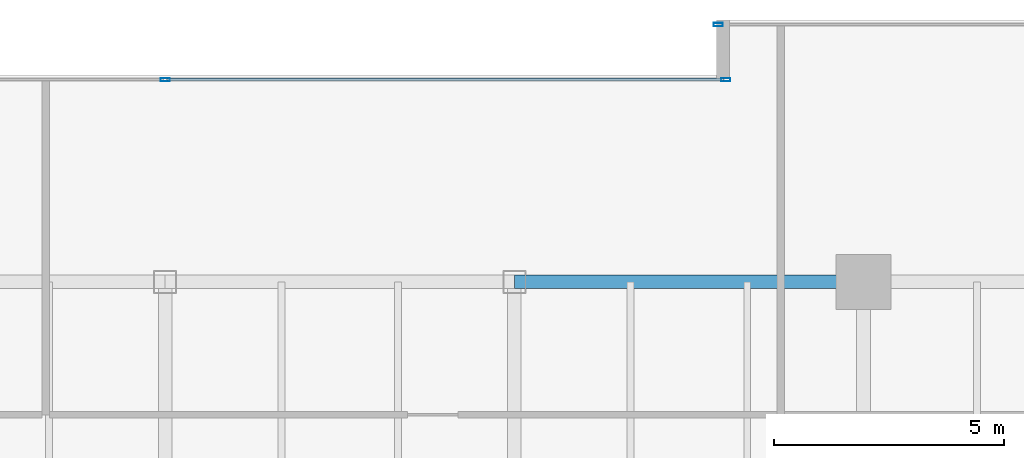
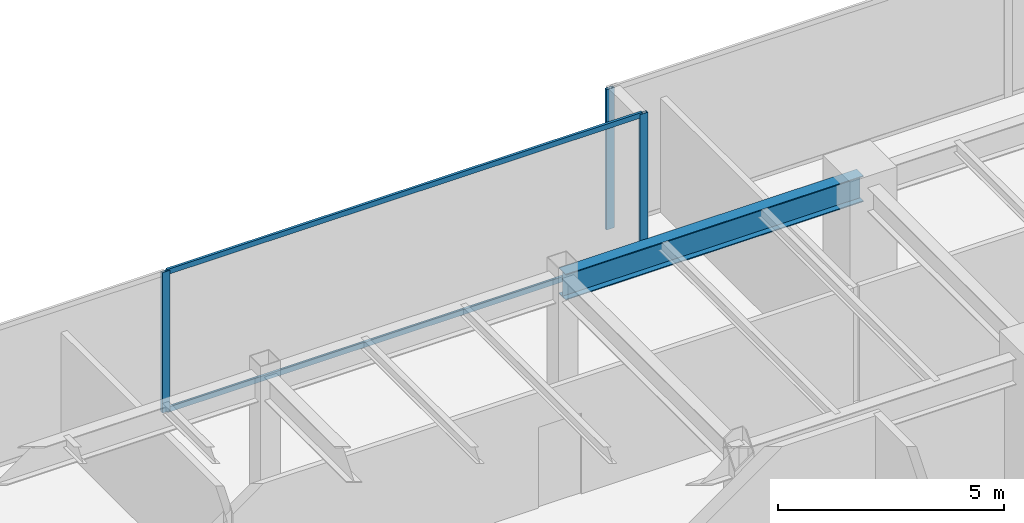
# One storey, part 18 of 30: 5 members, 1 beam, 2 elements without a shape of their own.
"""IFC4 building model written with IfcOpenShell, lengths in metres."""

from ifc_helpers import new_model, si_unit, direction, frame, origin, origin_2d, place, context, subcontext, project, spatial, hollow_rectangle, i_section, extrude, source, transform, mapped, material, layer, layer_set, material_profile, profile_set, type_object, type_shapes, element, aggregate, save


model = new_model("IFC4")

# Units and contexts
model_context = context("Model", 3, precision=1e-05, world=origin(), true_north=direction((0.0, 1.0)))
body_context = subcontext(model_context, "Body", "Model", "MODEL_VIEW")
ifc_project = project(units=[si_unit("LENGTHUNIT", "METRE"), si_unit("AREAUNIT", "SQUARE_METRE"), si_unit("VOLUMEUNIT", "CUBIC_METRE"), si_unit("PLANEANGLEUNIT", "RADIAN"), si_unit("MASSUNIT", "GRAM", prefix="KILO")], contexts=[model_context])

# Site, building, storey
site_placement = place(None, origin())
site = spatial("IfcSite", under=ifc_project, at=site_placement, CompositionType="ELEMENT")
building_placement = place(site_placement, origin())
building = spatial("IfcBuilding", under=site, at=building_placement, Name="Haelvirn Gate Laboratories", CompositionType="ELEMENT")
storey_placement = place(building_placement, frame((0.0, 0.0, 121.5)))
storey = spatial("IfcBuildingStorey", under=building, at=storey_placement, Name="L29", CompositionType="ELEMENT", Elevation=121.5)

# Beam
ifc_material_1 = material(Name="Steel SM355", Category="steel")
ifc_material_profile_1 = material_profile(ifc_material_1, i_section(OverallWidth=0.300048828125, OverallDepth=0.699951171875, WebThickness=0.012939453125, FlangeThickness=0.02392578125, at=origin_2d()), Name="H-700x300x13x24")
ifc_profile_set_1 = profile_set([ifc_material_profile_1], Name="Steel SM355")
beam_type = type_object("IfcBeamType", Name="BM-G-700", PredefinedType="BEAM", material=ifc_profile_set_1)
shared_shape_1 = source(origin(), body_context, "Body", "SweptSolid", [
    extrude(i_section(OverallWidth=0.300048828125, OverallDepth=0.699951171875, WebThickness=0.012939453125, FlangeThickness=0.02392578125, at=origin_2d()), origin(), (0.0, 0.0, 1.0), 7.60009765625),
])
type_shapes(beam_type, [shared_shape_1])
beam_placement = place(storey_placement, frame((45.0, 41.60009765625, 3.43994140625), z_axis=(1.0, 0.0, 0.0), x_axis=(0.0, 1.0, 0.0)))
element("IfcBeam", 1, at=beam_placement, inside=storey, type_object=beam_type, Name="L29 Primary Girder Y41.6 (45.0-52.6)", PredefinedType="BEAM", context=body_context, shape_type="MappedRepresentation", body=[
    mapped(shared_shape_1, transform((0.0, 0.0, 0.0), scale=1.0)),
])

# Curtain wall, members
ifc_material_2 = material(Name="Anodised bronze unitised aluminium & triple low-E glass", Category="aluminium")
ifc_layer = layer(ifc_material_2, 0.179931640625, Name="CW-SYS-3")
ifc_layer_set = layer_set([ifc_layer], Name="Anodised bronze unitised aluminium & triple low-E glass")
curtain_wall_type = type_object("IfcCurtainWallType", Name="CW-SYS-3", PredefinedType="NOTDEFINED", material=ifc_layer_set)
curtain_wall_1_placement = place(storey_placement, origin())
curtain_wall_1 = element("IfcCurtainWall", 2, at=curtain_wall_1_placement, inside=storey, type_object=curtain_wall_type, Name="L29 Unitised Curtain Wall CW-L29-P0-E12-1", PredefinedType="NOTDEFINED")
ifc_material_3 = material(Name="Extruded aluminium 6063-T6 (anodised bronze)", Category="aluminium")
ifc_material_profile_2 = material_profile(ifc_material_3, hollow_rectangle(XDim=0.06494140625, YDim=0.139892578125, WallThickness=0.00390625, at=origin_2d()), Name="CWT-140x65x4")
ifc_profile_set_2 = profile_set([ifc_material_profile_2], Name="Extruded aluminium 6063-T6 (anodised bronze)")
member_type_1 = type_object("IfcMemberType", Name="CWT-T140", PredefinedType="USERDEFINED", material=ifc_profile_set_2)
shared_shape_2 = source(origin(), body_context, "Body", "SweptSolid", [
    extrude(hollow_rectangle(XDim=0.06494140625, YDim=0.139892578125, WallThickness=0.00390625, at=origin_2d()), origin(), (0.0, 0.0, 1.0), 12.12744140625),
])
type_shapes(member_type_1, [shared_shape_2])
member_1_placement = place(storey_placement, frame((37.4375, 46.0, 0.032470703125), z_axis=(1.0, 0.0, 0.0), x_axis=(0.0, 1.0, 0.0)))
member_1 = element("IfcMember", 3, at=member_1_placement, type_object=member_type_1, Name="CW3 transom 2.1", ObjectType="TRANSOM", PredefinedType="USERDEFINED", context=body_context, shape_type="MappedRepresentation", body=[
    mapped(shared_shape_2, transform((0.0, 0.0, 0.0), scale=1.0)),
])
member_2_placement = place(storey_placement, frame((37.4375, 46.0, 3.757568359375), z_axis=(1.0, 0.0, 0.0), x_axis=(0.0, 1.0, 0.0)))
member_2 = element("IfcMember", 4, at=member_2_placement, type_object=member_type_1, Name="CW3 transom 2.2", ObjectType="TRANSOM", PredefinedType="USERDEFINED", context=body_context, shape_type="MappedRepresentation", body=[
    mapped(shared_shape_2, transform((0.0, 0.0, 0.0), scale=1.0)),
])

# Curtain wall, member
curtain_wall_2_placement = place(storey_placement, origin())
curtain_wall_2 = element("IfcCurtainWall", 5, at=curtain_wall_2_placement, inside=storey, type_object=curtain_wall_type, Name="L29 Unitised Curtain Wall CW-L29-P0-E10-1", PredefinedType="NOTDEFINED")
ifc_material_profile_3 = material_profile(ifc_material_3, hollow_rectangle(XDim=0.074951171875, YDim=0.199951171875, WallThickness=0.0048828125, at=origin_2d()), Name="CWM-200x75x5")
ifc_profile_set_3 = profile_set([ifc_material_profile_3], Name="Extruded aluminium 6063-T6 (anodised bronze)")
member_type_2 = type_object("IfcMemberType", Name="CWM-T200", PredefinedType="MULLION", material=ifc_profile_set_3)
shared_shape_3 = source(origin(), body_context, "Body", "SweptSolid", [
    extrude(hollow_rectangle(XDim=0.074951171875, YDim=0.199951171875, WallThickness=0.0048828125, at=origin_2d()), origin(), (0.0, 0.0, 1.0), 3.7900390625),
])
type_shapes(member_type_2, [shared_shape_3])
member_3_placement = place(storey_placement, frame((49.4375, 47.199951171875, 0.0), z_axis=(0.0, 0.0, 1.0), x_axis=(0.0, 1.0, 0.0)))
member_3 = element("IfcMember", 6, at=member_3_placement, type_object=member_type_2, Name="CW3 mullion 1", PredefinedType="MULLION", context=body_context, shape_type="MappedRepresentation", body=[
    mapped(shared_shape_3, transform((0.0, 0.0, 0.0), scale=1.0)),
])
aggregate(curtain_wall_2, [member_3])

# Member
member_4_placement = place(storey_placement, frame((37.39990234375, 46.0, 0.0), z_axis=(0.0, 0.0, 1.0), x_axis=(0.0, 1.0, 0.0)))
member_4 = element("IfcMember", 7, at=member_4_placement, type_object=member_type_2, Name="CW3 mullion 2", PredefinedType="MULLION", context=body_context, shape_type="MappedRepresentation", body=[
    mapped(shared_shape_3, transform((0.0, 0.0, 0.0), scale=1.0)),
])

member_5_placement = place(storey_placement, frame((49.6025390625, 46.0, 0.0), z_axis=(0.0, 0.0, 1.0), x_axis=(0.0, 1.0, 0.0)))
member_5 = element("IfcMember", 8, at=member_5_placement, type_object=member_type_2, Name="CW3 mullion 3", PredefinedType="MULLION", context=body_context, shape_type="MappedRepresentation", body=[
    mapped(shared_shape_3, transform((0.0, 0.0, 0.0), scale=1.0)),
])

aggregate(curtain_wall_1, [member_4, member_5, member_1, member_2])

save(model, "model.ifc")
